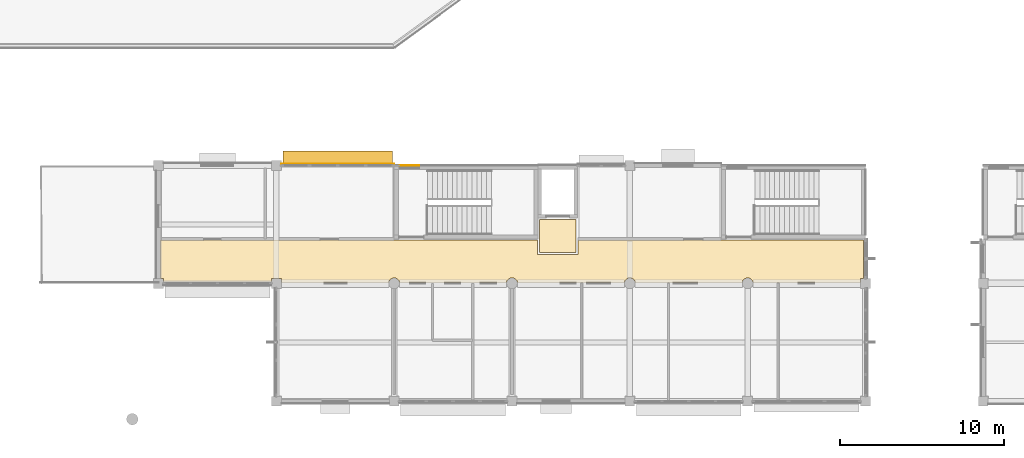
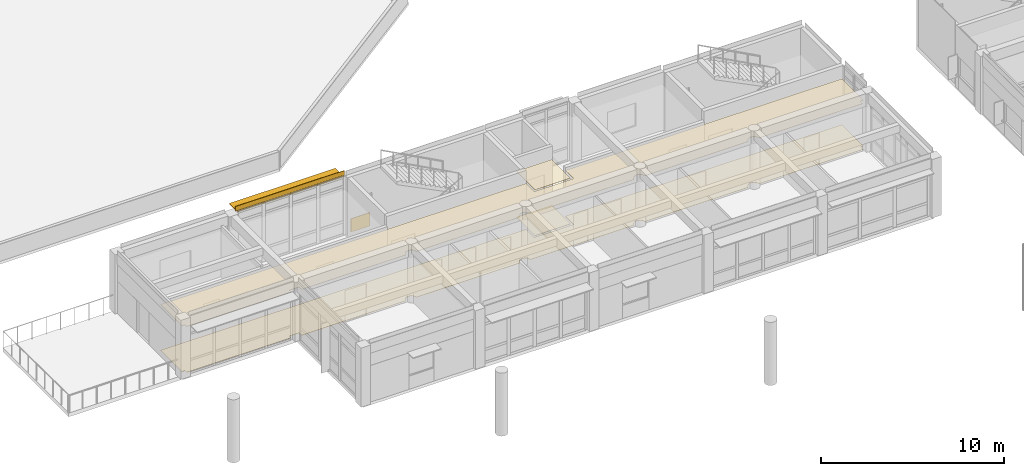
# One storey, part 38 of 55: 6 coverings, 1 shading device.
"""IFC4 building model written with IfcOpenShell, lengths in metres."""

from ifc_helpers import new_model, si_unit, direction, frame, origin, origin_2d, place, context, subcontext, project, spatial, polyline, rectangle, outline, extrude, material, layer, layer_set, type_object, element, save


model = new_model("IFC4")

# Units and contexts
model_context = context("Model", 3, precision=1e-05, world=origin(), true_north=direction((0.0, 1.0)))
body_context = subcontext(model_context, "Body", "Model", "MODEL_VIEW")
ifc_project = project(units=[si_unit("LENGTHUNIT", "METRE"), si_unit("AREAUNIT", "SQUARE_METRE"), si_unit("VOLUMEUNIT", "CUBIC_METRE"), si_unit("PLANEANGLEUNIT", "RADIAN"), si_unit("MASSUNIT", "GRAM", prefix="KILO")], contexts=[model_context])

# Site, building, storey
site_placement = place(None, origin())
site = spatial("IfcSite", under=ifc_project, at=site_placement, CompositionType="ELEMENT")
building_placement = place(site_placement, origin())
building = spatial("IfcBuilding", under=site, at=building_placement, Name="Namkhue Oval Health Centre", CompositionType="ELEMENT")
storey_placement = place(building_placement, frame((0.0, 0.0, 9.60009765625)))
storey = spatial("IfcBuildingStorey", under=building, at=storey_placement, Name="L02", CompositionType="ELEMENT", Elevation=9.60009765625)

# Coverings
ifc_material_1 = material(Name="Acoustic mineral-fibre cleanroom ceiling", Category="gypsum")
ifc_layer_1 = layer(ifc_material_1, 0.02001953125)
ifc_layer_set_1 = layer_set([ifc_layer_1], Name="Acoustic mineral-fibre cleanroom ceiling")
covering_type_1 = type_object("IfcCoveringType", Name="ACOUSTIC CLEANROOM CEILING 20", PredefinedType="CEILING", material=ifc_layer_set_1)
covering_1_placement = place(storey_placement, frame((0.0, 0.0, 3.0498046875)))
element("IfcCovering", 1, at=covering_1_placement, inside=storey, type_object=covering_type_1, Name="Acoustic Ceiling L02-LL5 Lift Lobby LF-05", PredefinedType="CEILING", context=body_context, shape_type="SweptSolid", body=[
    extrude(outline(polyline([(66.47998046875, 23.47998046875), (66.47998046875, 25.52001953125), (68.719970703125, 25.52001953125), (68.719970703125, 23.47998046875), (66.47998046875, 23.47998046875)])), origin(), (0.0, 0.0, 1.0), 0.02001953125),
])
covering_2_placement = place(storey_placement, frame((0.0, 0.0, 3.0498046875)))
element("IfcCovering", 2, at=covering_2_placement, inside=storey, type_object=covering_type_1, Name="Acoustic Ceiling L02-V4-C1 V4 Clinical Corridor", PredefinedType="CEILING", context=body_context, shape_type="SweptSolid", body=[
    extrude(outline(polyline([(43.510009765625, 21.72509765625), (43.510009765625, 21.909912109375), (43.324951171875, 21.909912109375), (43.324951171875, 24.260009765625), (66.360107421875, 24.260009765625), (66.360107421875, 23.39990234375), (66.363037109375, 23.384765625), (66.37158203125, 23.37158203125), (66.384765625, 23.363037109375), (66.39990234375, 23.360107421875), (68.800048828125, 23.360107421875), (68.815185546875, 23.363037109375), (68.833251953125, 23.377685546875), (68.840087890625, 23.39990234375), (68.840087890625, 24.260009765625), (86.27490234375, 24.260009765625), (86.27490234375, 21.909912109375), (86.090087890625, 21.909912109375), (86.090087890625, 21.639892578125), (79.52978515625, 21.639892578125), (79.523681640625, 21.686767578125), (79.489990234375, 21.767578125), (79.43701171875, 21.8369140625), (79.367431640625, 21.89013671875), (79.28662109375, 21.923583984375), (79.199951171875, 21.93505859375), (79.11328125, 21.923583984375), (79.032470703125, 21.89013671875), (78.963134765625, 21.8369140625), (78.909912109375, 21.767578125), (78.87646484375, 21.686767578125), (78.870361328125, 21.639892578125), (72.32958984375, 21.639892578125), (72.323486328125, 21.686767578125), (72.2900390625, 21.767578125), (72.23681640625, 21.8369140625), (72.16748046875, 21.89013671875), (72.086669921875, 21.923583984375), (72.0, 21.93505859375), (71.913330078125, 21.923583984375), (71.83251953125, 21.89013671875), (71.76318359375, 21.8369140625), (71.7099609375, 21.767578125), (71.676513671875, 21.686767578125), (71.67041015625, 21.639892578125), (65.129638671875, 21.639892578125), (65.12353515625, 21.686767578125), (65.090087890625, 21.767578125), (65.036865234375, 21.8369140625), (64.967529296875, 21.89013671875), (64.88671875, 21.923583984375), (64.800048828125, 21.93505859375), (64.71337890625, 21.923583984375), (64.632568359375, 21.89013671875), (64.56298828125, 21.8369140625), (64.510009765625, 21.767578125), (64.476318359375, 21.686767578125), (64.47021484375, 21.639892578125), (57.9296875, 21.639892578125), (57.923583984375, 21.686767578125), (57.89013671875, 21.767578125), (57.8369140625, 21.8369140625), (57.767578125, 21.89013671875), (57.686767578125, 21.923583984375), (57.60009765625, 21.93505859375), (57.51318359375, 21.923583984375), (57.4326171875, 21.89013671875), (57.363037109375, 21.8369140625), (57.309814453125, 21.767578125), (57.2763671875, 21.686767578125), (57.270263671875, 21.639892578125), (50.7099609375, 21.639892578125), (50.7099609375, 21.909912109375), (50.090087890625, 21.909912109375), (50.090087890625, 21.72509765625), (43.510009765625, 21.72509765625)])), origin(), (0.0, 0.0, 1.0), 0.02001953125),
])
ifc_material_2 = material(Name="Homogeneous anti-bacterial clinical vinyl flooring", Category="plastic")
ifc_layer_2 = layer(ifc_material_2, 0.014892578125)
ifc_layer_set_2 = layer_set([ifc_layer_2], Name="Homogeneous anti-bacterial clinical vinyl flooring")
covering_type_2 = type_object("IfcCoveringType", Name="CLINICAL ANTIBACTERIAL VINYL FLOORING 15", PredefinedType="FLOORING", material=ifc_layer_set_2)
covering_3_placement = place(storey_placement, origin())
element("IfcCovering", 3, at=covering_3_placement, inside=storey, type_object=covering_type_2, Name="Clinical Flooring L02-LL5 Lift Lobby LF-05", PredefinedType="FLOORING", context=body_context, shape_type="SweptSolid", body=[
    extrude(outline(polyline([(66.47998046875, 23.47998046875), (66.47998046875, 25.52001953125), (68.719970703125, 25.52001953125), (68.719970703125, 23.47998046875), (66.47998046875, 23.47998046875)])), origin(), (0.0, 0.0, 1.0), 0.014892578125),
])
covering_4_placement = place(storey_placement, origin())
element("IfcCovering", 4, at=covering_4_placement, inside=storey, type_object=covering_type_2, Name="Clinical Flooring L02-V4-C1 V4 Clinical Corridor", PredefinedType="FLOORING", context=body_context, shape_type="SweptSolid", body=[
    extrude(outline(polyline([(43.510009765625, 21.72509765625), (43.510009765625, 21.909912109375), (43.324951171875, 21.909912109375), (43.324951171875, 24.260009765625), (66.360107421875, 24.260009765625), (66.360107421875, 23.39990234375), (66.363037109375, 23.384765625), (66.37158203125, 23.37158203125), (66.384765625, 23.363037109375), (66.39990234375, 23.360107421875), (68.800048828125, 23.360107421875), (68.815185546875, 23.363037109375), (68.833251953125, 23.377685546875), (68.840087890625, 23.39990234375), (68.840087890625, 24.260009765625), (86.27490234375, 24.260009765625), (86.27490234375, 21.909912109375), (86.090087890625, 21.909912109375), (86.090087890625, 21.639892578125), (79.52978515625, 21.639892578125), (79.523681640625, 21.686767578125), (79.489990234375, 21.767578125), (79.43701171875, 21.8369140625), (79.367431640625, 21.89013671875), (79.28662109375, 21.923583984375), (79.199951171875, 21.93505859375), (79.11328125, 21.923583984375), (79.032470703125, 21.89013671875), (78.963134765625, 21.8369140625), (78.909912109375, 21.767578125), (78.87646484375, 21.686767578125), (78.870361328125, 21.639892578125), (72.32958984375, 21.639892578125), (72.323486328125, 21.686767578125), (72.2900390625, 21.767578125), (72.23681640625, 21.8369140625), (72.16748046875, 21.89013671875), (72.086669921875, 21.923583984375), (72.0, 21.93505859375), (71.913330078125, 21.923583984375), (71.83251953125, 21.89013671875), (71.76318359375, 21.8369140625), (71.7099609375, 21.767578125), (71.676513671875, 21.686767578125), (71.67041015625, 21.639892578125), (65.129638671875, 21.639892578125), (65.12353515625, 21.686767578125), (65.090087890625, 21.767578125), (65.036865234375, 21.8369140625), (64.967529296875, 21.89013671875), (64.88671875, 21.923583984375), (64.800048828125, 21.93505859375), (64.71337890625, 21.923583984375), (64.632568359375, 21.89013671875), (64.56298828125, 21.8369140625), (64.510009765625, 21.767578125), (64.476318359375, 21.686767578125), (64.47021484375, 21.639892578125), (57.9296875, 21.639892578125), (57.923583984375, 21.686767578125), (57.89013671875, 21.767578125), (57.8369140625, 21.8369140625), (57.767578125, 21.89013671875), (57.686767578125, 21.923583984375), (57.60009765625, 21.93505859375), (57.51318359375, 21.923583984375), (57.4326171875, 21.89013671875), (57.363037109375, 21.8369140625), (57.309814453125, 21.767578125), (57.2763671875, 21.686767578125), (57.270263671875, 21.639892578125), (50.7099609375, 21.639892578125), (50.7099609375, 21.909912109375), (50.090087890625, 21.909912109375), (50.090087890625, 21.72509765625), (43.510009765625, 21.72509765625)])), origin(), (0.0, 0.0, 1.0), 0.014892578125),
])

# Shading device
ifc_material_3 = material(Name="Anodised aluminium EN AW-6063 T6", Category="aluminium")
ifc_layer_3 = layer(ifc_material_3, 0.06005859375)
ifc_layer_set_3 = layer_set([ifc_layer_3], Name="Anodised aluminium EN AW-6063 T6")
shading_device_type = type_object("IfcShadingDeviceType", Name="MONSOON SUN LOUVRE 900", PredefinedType="JALOUSIE", material=ifc_layer_set_3)
shading_device_placement = place(storey_placement, frame((54.14697265625, 29.25, 3.829833984375), z_axis=(0.0, 0.0, 1.0), x_axis=(-1.0, 0.0, 0.0)))
element("IfcShadingDevice", 5, at=shading_device_placement, inside=storey, type_object=shading_device_type, Name="Volume V4 L02 Horizontal Monsoon Sun Louvre 224", PredefinedType="JALOUSIE", context=body_context, shape_type="SweptSolid", body=[
    extrude(rectangle(XDim=6.701904296875, YDim=0.89990234375, at=origin_2d()), origin(), (0.0, 0.0, 1.0), 0.06005859375),
])

# Coverings
ifc_material_4 = material(Name="White glass-fibre reinforced concrete GRC rainscreen cladding", Category="concrete")
ifc_layer_4 = layer(ifc_material_4, 0.02490234375)
ifc_layer_set_4 = layer_set([ifc_layer_4], Name="White glass-fibre reinforced concrete GRC rainscreen cladding")
covering_type_3 = type_object("IfcCoveringType", Name="WHITE GRC RAINSCREEN CLADDING 25", PredefinedType="CLADDING", material=ifc_layer_set_4)
covering_5_placement = place(storey_placement, frame((54.14697265625, 28.888427734375, 3.885009765625), z_axis=(0.0, 0.0, 1.0), x_axis=(-1.0, 0.0, 0.0)))
element("IfcCovering", 6, at=covering_5_placement, inside=storey, type_object=covering_type_3, Name="Volume V4 L02 Curtain Wall Spandrel Cladding 166", PredefinedType="CLADDING", context=body_context, shape_type="SweptSolid", body=[
    extrude(rectangle(XDim=6.89208984375, YDim=0.02490234375, at=origin_2d()), origin(), (0.0, 0.0, 1.0), 0.31494140625),
])
covering_6_placement = place(storey_placement, frame((58.5400390625, 28.81201171875, 0.010009765625), z_axis=(0.0, 0.0, 1.0), x_axis=(-1.0, 0.0, 0.0)))
element("IfcCovering", 7, at=covering_6_placement, inside=storey, type_object=covering_type_3, Name="Core SC-07 L02 Core N White GRC Cladding 3", PredefinedType="CLADDING", context=body_context, shape_type="SweptSolid", body=[
    extrude(rectangle(XDim=1.199951171875, YDim=0.02490234375, at=origin_2d()), origin(), (0.0, 0.0, 1.0), 0.89501953125),
])

save(model, "model.ifc")
